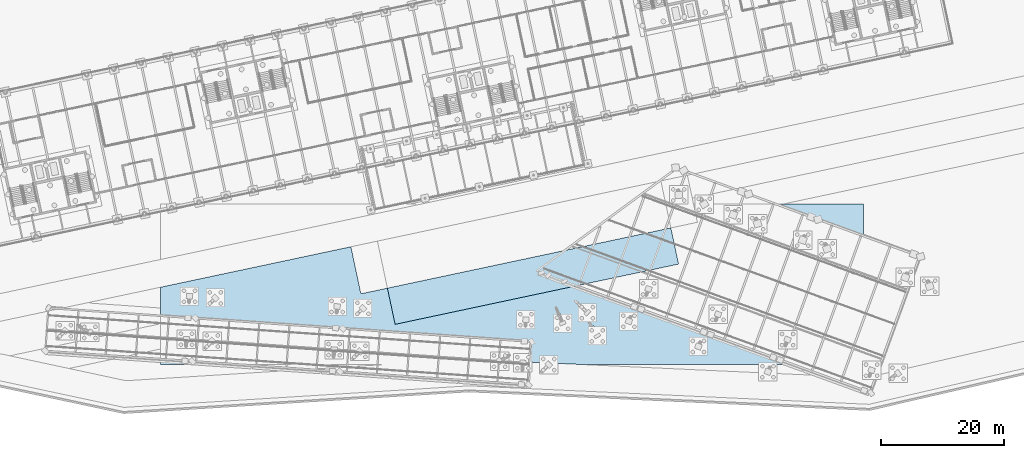
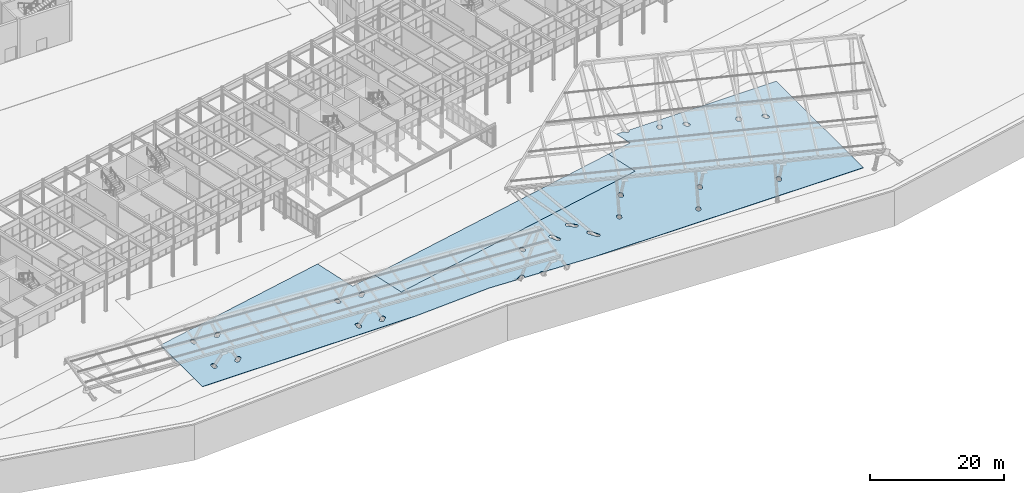
# One storey, part 144 of 239: 2 slabs.
"""IFC4 building model written with IfcOpenShell, lengths in metres."""

from ifc_helpers import new_model, si_unit, direction, frame, origin, place, context, subcontext, project, spatial, polyline, outline, extrude, material, layer, layer_set, type_object, element, save


model = new_model("IFC4")

# Units and contexts
model_context = context("Model", 3, precision=1e-05, world=origin(), true_north=direction((0.0, 1.0)))
body_context = subcontext(model_context, "Body", "Model", "MODEL_VIEW")
ifc_project = project(units=[si_unit("LENGTHUNIT", "METRE"), si_unit("AREAUNIT", "SQUARE_METRE"), si_unit("VOLUMEUNIT", "CUBIC_METRE"), si_unit("PLANEANGLEUNIT", "RADIAN"), si_unit("MASSUNIT", "GRAM", prefix="KILO")], contexts=[model_context])

# Site, building, storey
site_placement = place(None, origin())
site = spatial("IfcSite", under=ifc_project, at=site_placement, CompositionType="ELEMENT")
building_placement = place(site_placement, origin())
building = spatial("IfcBuilding", under=site, at=building_placement, Name="Okhra Congress Centre", CompositionType="ELEMENT")
storey_placement = place(building_placement, origin())
storey = spatial("IfcBuildingStorey", under=building, at=storey_placement, Name="L00", CompositionType="ELEMENT", Elevation=0.0)

# Slabs
ifc_material = material(Name="Concrete C30/37", Category="concrete")
ifc_layer_1 = layer(ifc_material, 0.1201171875)
ifc_layer_set_1 = layer_set([ifc_layer_1], Name="Precast plaza paving slab 120 C30/37")
slab_type_1 = type_object("IfcSlabType", Name="Precast plaza paving slab 120 C30/37", PredefinedType="BASESLAB", material=ifc_layer_set_1)
slab_1_placement = place(storey_placement, frame((0.0, 0.0, -0.1201171875)))
element("IfcSlab", 1, at=slab_1_placement, inside=storey, type_object=slab_type_1, Name="Court Plaza 1 paving", PredefinedType="BASESLAB", context=body_context, shape_type="SweptSolid", body=[
    extrude(outline(polyline([(144.666748046875, 8.702880859375), (144.6865234375, 8.732666015625), (144.734375, 8.78564453125), (144.79150390625, 8.827880859375), (145.533447265625, 9.271728515625), (145.6005859375, 9.2958984375), (145.6357421875, 9.302734375), (145.706787109375, 9.306396484375), (145.777587890625, 9.2958984375), (145.811767578125, 9.28564453125), (145.876220703125, 9.255126953125), (145.93359375, 9.212646484375), (145.981689453125, 9.159912109375), (146.00146484375, 9.130126953125), (146.031982421875, 9.065673828125), (146.04248046875, 9.031494140625), (146.04931640625, 8.99658203125), (146.052978515625, 8.92529296875), (146.04248046875, 8.8544921875), (146.0322265625, 8.8203125), (145.913330078125, 8.53271484375), (148.432861328125, 8.41650390625), (148.50537109375, 8.5009765625), (148.531005859375, 8.52587890625), (148.589111328125, 8.567138671875), (148.654296875, 8.59619140625), (148.688720703125, 8.60595703125), (148.723876953125, 8.612060546875), (148.79541015625, 8.6142578125), (148.830810546875, 8.60986328125), (148.899658203125, 8.591064453125), (148.96337890625, 8.559326171875), (148.99267578125, 8.538818359375), (149.044677734375, 8.48974609375), (149.127685546875, 8.384521484375), (152.702392578125, 8.219482421875), (152.75537109375, 8.25927734375), (152.785888671875, 8.27783203125), (152.8515625, 8.3056640625), (152.92138671875, 8.320068359375), (152.992919921875, 8.320556640625), (153.06298828125, 8.30712890625), (153.12890625, 8.2802734375), (153.188720703125, 8.240966796875), (153.240478515625, 8.194580078125), (157.45556640625, 8.0), (204.0, 8.0), (204.0, 34.0), (178.63037109375, 34.0), (178.576416015625, 33.817138671875), (178.56103515625, 33.779296875), (178.51953125, 33.70947265625), (178.46533203125, 33.648681640625), (178.400390625, 33.599853515625), (178.3271484375, 33.564453125), (178.248291015625, 33.544189453125), (178.1669921875, 33.53955078125), (178.086669921875, 33.551025390625), (178.009765625, 33.577880859375), (177.9736328125, 33.5966796875), (177.907958984375, 33.644775390625), (177.87890625, 33.67333984375), (177.830322265625, 33.73828125), (177.6708984375, 34.0), (176.438232421875, 34.0), (177.0693359375, 31.031494140625), (172.765380859375, 30.11669921875), (174.012939453125, 24.247802734375), (128.0400390625, 14.475830078125), (126.79248046875, 20.3447265625), (122.48876953125, 19.429931640625), (120.866943359375, 27.0595703125), (90.0, 20.49853515625), (90.0, 8.0), (127.034423828125, 8.0), (139.956787109375, 8.8076171875), (144.608154296875, 8.593017578125), (144.666748046875, 8.702880859375)]), holes=[polyline([(197.628662109375, 27.266357421875), (197.597412109375, 27.19140625), (197.58154296875, 27.111572265625), (197.58154296875, 27.030029296875), (197.587646484375, 26.98974609375), (197.72265625, 26.544677734375), (197.760986328125, 26.472900390625), (197.78515625, 26.440185546875), (197.8427734375, 26.382568359375), (197.910400390625, 26.33740234375), (197.985595703125, 26.306396484375), (198.065185546875, 26.290283203125), (198.146728515625, 26.290283203125), (198.2265625, 26.30615234375), (198.3017578125, 26.33740234375), (198.369384765625, 26.382568359375), (198.4267578125, 26.440185546875), (198.47216796875, 26.5078125), (198.489501953125, 26.54443359375), (198.503173828125, 26.5830078125), (198.51904296875, 26.66259765625), (198.51904296875, 26.743896484375), (198.50341796875, 26.823486328125), (198.3916015625, 27.19140625), (198.360595703125, 27.266357421875), (198.3154296875, 27.333984375), (198.258056640625, 27.3916015625), (198.225341796875, 27.415771484375), (198.153564453125, 27.4541015625), (198.07568359375, 27.477783203125), (197.99462890625, 27.48583984375), (197.9541015625, 27.48388671875), (197.874267578125, 27.468017578125), (197.8359375, 27.4541015625), (197.76416015625, 27.416015625), (197.7314453125, 27.3916015625), (197.673828125, 27.333984375), (197.628662109375, 27.266357421875)]), polyline([(194.089111328125, 28.8046875), (194.01904296875, 28.76318359375), (193.95849609375, 28.708984375), (193.90966796875, 28.643798828125), (193.89013671875, 28.60791015625), (193.75732421875, 28.242919921875), (193.7451171875, 28.16259765625), (193.74853515625, 28.081298828125), (193.767822265625, 28.002197265625), (193.80224609375, 27.928466796875), (193.850341796875, 27.86279296875), (193.910400390625, 27.807861328125), (193.97998046875, 27.765625), (194.056396484375, 27.73779296875), (194.13671875, 27.7255859375), (194.218017578125, 27.72900390625), (194.297119140625, 27.748291015625), (194.334716796875, 27.763916015625), (194.40478515625, 27.80517578125), (194.46533203125, 27.859619140625), (194.51416015625, 27.924560546875), (194.54931640625, 27.997802734375), (194.66650390625, 28.325439453125), (194.6787109375, 28.406005859375), (194.67529296875, 28.487060546875), (194.656005859375, 28.566162109375), (194.640380859375, 28.60400390625), (194.59912109375, 28.673828125), (194.544921875, 28.734619140625), (194.479736328125, 28.783203125), (194.40625, 28.818603515625), (194.327392578125, 28.838623046875), (194.287109375, 28.843017578125), (194.205810546875, 28.83935546875), (194.126708984375, 28.820068359375), (194.089111328125, 28.8046875)]), polyline([(191.677978515625, 11.2138671875), (191.739501953125, 11.25), (191.79248046875, 11.2978515625), (191.83544921875, 11.354736328125), (191.852294921875, 11.38623046875), (192.0361328125, 11.885986328125), (192.0537109375, 11.955078125), (192.0576171875, 11.990478515625), (192.054443359375, 12.061767578125), (192.037353515625, 12.131103515625), (192.00732421875, 12.19580078125), (191.965087890625, 12.25341796875), (191.91259765625, 12.301513671875), (191.8515625, 12.33837890625), (191.784423828125, 12.363037109375), (191.7138671875, 12.373779296875), (191.67822265625, 12.3740234375), (191.607421875, 12.364013671875), (191.540283203125, 12.340087890625), (191.478759765625, 12.303955078125), (191.451171875, 12.281494140625), (191.40283203125, 12.228759765625), (191.3828125, 12.19921875), (191.35205078125, 12.135009765625), (191.18212890625, 11.66796875), (191.164306640625, 11.59912109375), (191.16064453125, 11.5634765625), (191.163818359375, 11.4921875), (191.170654296875, 11.457275390625), (191.1943359375, 11.389892578125), (191.230712890625, 11.328369140625), (191.2783203125, 11.275390625), (191.305908203125, 11.25244140625), (191.33544921875, 11.232421875), (191.399658203125, 11.20166015625), (191.433837890625, 11.191162109375), (191.50439453125, 11.18017578125), (191.57568359375, 11.183349609375), (191.64501953125, 11.2001953125), (191.677978515625, 11.2138671875)]), polyline([(186.352294921875, 31.37060546875), (186.3212890625, 31.29541015625), (186.305419921875, 31.2158203125), (186.305419921875, 31.134521484375), (186.311279296875, 31.093994140625), (186.4462890625, 30.64892578125), (186.484619140625, 30.5771484375), (186.5087890625, 30.54443359375), (186.56640625, 30.48681640625), (186.634033203125, 30.441650390625), (186.709228515625, 30.410400390625), (186.7890625, 30.39453125), (186.870361328125, 30.39453125), (186.9501953125, 30.410400390625), (187.025390625, 30.441650390625), (187.093017578125, 30.48681640625), (187.150390625, 30.544189453125), (187.19580078125, 30.612060546875), (187.213134765625, 30.648681640625), (187.226806640625, 30.68701171875), (187.242919921875, 30.766845703125), (187.242919921875, 30.848388671875), (187.22705078125, 30.927734375), (187.115478515625, 31.295654296875), (187.08447265625, 31.37060546875), (187.039306640625, 31.438232421875), (186.981689453125, 31.495849609375), (186.948974609375, 31.52001953125), (186.877197265625, 31.558349609375), (186.79931640625, 31.58203125), (186.718505859375, 31.590087890625), (186.677734375, 31.587890625), (186.597900390625, 31.572265625), (186.522705078125, 31.541015625), (186.48779296875, 31.52001953125), (186.455078125, 31.495849609375), (186.397705078125, 31.438232421875), (186.352294921875, 31.37060546875)]), polyline([(182.812744140625, 32.90869140625), (182.74267578125, 32.867431640625), (182.68212890625, 32.81298828125), (182.656005859375, 32.78173828125), (182.614013671875, 32.712158203125), (182.48095703125, 32.34716796875), (182.468505859375, 32.2666015625), (182.47216796875, 32.185546875), (182.491455078125, 32.1064453125), (182.52587890625, 32.03271484375), (182.573974609375, 31.967041015625), (182.634033203125, 31.912109375), (182.70361328125, 31.869873046875), (182.780029296875, 31.842041015625), (182.8603515625, 31.82958984375), (182.941650390625, 31.833251953125), (183.020751953125, 31.8525390625), (183.058349609375, 31.867919921875), (183.12841796875, 31.909423828125), (183.18896484375, 31.963623046875), (183.23779296875, 32.02880859375), (183.27294921875, 32.10205078125), (183.39013671875, 32.4296875), (183.402587890625, 32.510009765625), (183.39892578125, 32.59130859375), (183.379638671875, 32.67041015625), (183.34521484375, 32.744140625), (183.297119140625, 32.809814453125), (183.2685546875, 32.838623046875), (183.203369140625, 32.887451171875), (183.1298828125, 32.922607421875), (183.091064453125, 32.934814453125), (183.0107421875, 32.947021484375), (182.969970703125, 32.947265625), (182.889404296875, 32.935791015625), (182.812744140625, 32.90869140625)]), polyline([(180.36865234375, 15.304443359375), (180.433349609375, 15.334716796875), (180.490966796875, 15.376953125), (180.5390625, 15.429443359375), (180.576171875, 15.490478515625), (180.760009765625, 15.990234375), (180.777587890625, 16.05908203125), (180.78125, 16.0947265625), (180.778076171875, 16.166015625), (180.760986328125, 16.2353515625), (180.73095703125, 16.300048828125), (180.688720703125, 16.357666015625), (180.63623046875, 16.40576171875), (180.5751953125, 16.44287109375), (180.508056640625, 16.46728515625), (180.4375, 16.47802734375), (180.3662109375, 16.474853515625), (180.331298828125, 16.46826171875), (180.263916015625, 16.444580078125), (180.232421875, 16.427734375), (180.1748046875, 16.385498046875), (180.12646484375, 16.3330078125), (180.1064453125, 16.303466796875), (180.07568359375, 16.2392578125), (179.90576171875, 15.772216796875), (179.88818359375, 15.703369140625), (179.884521484375, 15.667724609375), (179.88427734375, 15.632080078125), (179.894287109375, 15.561279296875), (179.91796875, 15.494140625), (179.954345703125, 15.4326171875), (180.001953125, 15.37939453125), (180.029541015625, 15.356689453125), (180.090576171875, 15.319580078125), (180.123291015625, 15.305908203125), (180.1923828125, 15.2880859375), (180.22802734375, 15.284423828125), (180.29931640625, 15.28759765625), (180.36865234375, 15.304443359375)]), polyline([(177.238525390625, 11.563720703125), (177.173828125, 11.533447265625), (177.1162109375, 11.4912109375), (177.068115234375, 11.438720703125), (177.031005859375, 11.377685546875), (176.895751953125, 11.010986328125), (176.878173828125, 10.942138671875), (176.874267578125, 10.87109375), (176.884521484375, 10.80029296875), (176.908203125, 10.73291015625), (176.9443359375, 10.671630859375), (176.9921875, 10.618408203125), (177.049072265625, 10.57568359375), (177.113525390625, 10.544921875), (177.1826171875, 10.527099609375), (177.25390625, 10.523193359375), (177.289306640625, 10.526611328125), (177.358642578125, 10.54345703125), (177.42333984375, 10.573486328125), (177.48095703125, 10.61572265625), (177.50634765625, 10.640869140625), (177.54931640625, 10.697998046875), (177.579833984375, 10.76220703125), (177.701416015625, 11.095947265625), (177.718994140625, 11.164794921875), (177.722900390625, 11.236083984375), (177.7197265625, 11.271484375), (177.70263671875, 11.3408203125), (177.672607421875, 11.405517578125), (177.65283203125, 11.435302734375), (177.605224609375, 11.488525390625), (177.548095703125, 11.531494140625), (177.48388671875, 11.562255859375), (177.44970703125, 11.57275390625), (177.379150390625, 11.58349609375), (177.307861328125, 11.58056640625), (177.238525390625, 11.563720703125)]), polyline([(169.12548828125, 19.42236328125), (169.186767578125, 19.45849609375), (169.239990234375, 19.506103515625), (169.2626953125, 19.53369140625), (169.2998046875, 19.5947265625), (169.483642578125, 20.094482421875), (169.501220703125, 20.163330078125), (169.5048828125, 20.198974609375), (169.501708984375, 20.270263671875), (169.48486328125, 20.339599609375), (169.45458984375, 20.404296875), (169.41259765625, 20.4619140625), (169.35986328125, 20.510009765625), (169.298828125, 20.547119140625), (169.231689453125, 20.5712890625), (169.161376953125, 20.582275390625), (169.090087890625, 20.5791015625), (169.020751953125, 20.562255859375), (168.987548828125, 20.548583984375), (168.92626953125, 20.512451171875), (168.8984375, 20.489990234375), (168.85009765625, 20.437255859375), (168.830078125, 20.40771484375), (168.799560546875, 20.343505859375), (168.62939453125, 19.87646484375), (168.61181640625, 19.8076171875), (168.608154296875, 19.77197265625), (168.611083984375, 19.70068359375), (168.617919921875, 19.66552734375), (168.6416015625, 19.598388671875), (168.658203125, 19.566650390625), (168.677978515625, 19.536865234375), (168.7255859375, 19.48388671875), (168.78271484375, 19.44091796875), (168.814208984375, 19.424072265625), (168.881103515625, 19.399658203125), (168.95166015625, 19.388671875), (169.02294921875, 19.391845703125), (169.09228515625, 19.40869140625), (169.12548828125, 19.42236328125)]), polyline([(165.962158203125, 15.667724609375), (165.897705078125, 15.6376953125), (165.840087890625, 15.595458984375), (165.791748046875, 15.542724609375), (165.7548828125, 15.481689453125), (165.619384765625, 15.115478515625), (165.601806640625, 15.04638671875), (165.597900390625, 14.97509765625), (165.608154296875, 14.904541015625), (165.6318359375, 14.837158203125), (165.668212890625, 14.77587890625), (165.7158203125, 14.72265625), (165.772705078125, 14.679931640625), (165.837158203125, 14.64892578125), (165.90625, 14.63134765625), (165.9775390625, 14.62744140625), (166.01318359375, 14.630615234375), (166.08251953125, 14.647705078125), (166.147216796875, 14.677734375), (166.20458984375, 14.719970703125), (166.22998046875, 14.7451171875), (166.27294921875, 14.80224609375), (166.3037109375, 14.866455078125), (166.425048828125, 15.2001953125), (166.44287109375, 15.26904296875), (166.44677734375, 15.34033203125), (166.443359375, 15.3759765625), (166.426513671875, 15.4453125), (166.396240234375, 15.509765625), (166.37646484375, 15.539794921875), (166.328857421875, 15.5927734375), (166.271728515625, 15.635498046875), (166.20751953125, 15.66650390625), (166.17333984375, 15.677001953125), (166.102783203125, 15.68798828125), (166.031494140625, 15.684814453125), (165.962158203125, 15.667724609375)]), polyline([(159.740966796875, 13.97802734375), (159.7236328125, 13.908935546875), (159.719970703125, 13.837646484375), (159.73046875, 13.76708984375), (159.75439453125, 13.69970703125), (160.542236328125, 12.3837890625), (160.590087890625, 12.330810546875), (160.6474609375, 12.288330078125), (160.7119140625, 12.2578125), (160.78125, 12.240478515625), (160.8525390625, 12.23681640625), (160.923095703125, 12.247314453125), (160.990234375, 12.271240234375), (161.051513671875, 12.307861328125), (161.0791015625, 12.33056640625), (161.127197265625, 12.38330078125), (161.163818359375, 12.444580078125), (161.18798828125, 12.51171875), (161.19482421875, 12.546875), (161.198486328125, 12.6181640625), (161.19482421875, 12.653564453125), (161.177490234375, 12.722900390625), (161.147216796875, 12.787109375), (160.376220703125, 14.072021484375), (160.328125, 14.124755859375), (160.300537109375, 14.1474609375), (160.27099609375, 14.16748046875), (160.206298828125, 14.197998046875), (160.13720703125, 14.21533203125), (160.101806640625, 14.21875), (160.030517578125, 14.21533203125), (159.995361328125, 14.20849609375), (159.92822265625, 14.184326171875), (159.896484375, 14.16748046875), (159.83935546875, 14.125), (159.79150390625, 14.072265625), (159.771484375, 14.04248046875), (159.740966796875, 13.97802734375)]), polyline([(157.969970703125, 17.259033203125), (157.9716796875, 17.187744140625), (157.9873046875, 17.117919921875), (158.01611328125, 17.052734375), (158.05712890625, 16.994384765625), (158.978759765625, 16.113525390625), (159.034912109375, 16.069580078125), (159.098388671875, 16.03759765625), (159.167236328125, 16.0185546875), (159.23828125, 16.01318359375), (159.309326171875, 16.02197265625), (159.376953125, 16.044189453125), (159.439208984375, 16.079345703125), (159.4931640625, 16.1259765625), (159.537109375, 16.18212890625), (159.5546875, 16.21337890625), (159.58056640625, 16.27978515625), (159.5927734375, 16.35009765625), (159.593505859375, 16.3857421875), (159.591064453125, 16.42138671875), (159.575439453125, 16.4912109375), (159.546630859375, 16.556396484375), (159.527587890625, 16.58642578125), (159.481201171875, 16.640380859375), (158.583984375, 17.49560546875), (158.52783203125, 17.539306640625), (158.464111328125, 17.571533203125), (158.430419921875, 17.582763671875), (158.360107421875, 17.594970703125), (158.32421875, 17.595947265625), (158.28857421875, 17.59326171875), (158.218994140625, 17.57763671875), (158.15380859375, 17.548828125), (158.12353515625, 17.52978515625), (158.069580078125, 17.483154296875), (158.046142578125, 17.4560546875), (158.0078125, 17.39599609375), (157.982177734375, 17.329345703125), (157.969970703125, 17.259033203125)]), polyline([(154.375244140625, 15.948486328125), (154.354736328125, 15.8798828125), (154.34814453125, 15.80908203125), (154.35546875, 15.738037109375), (154.3642578125, 15.703369140625), (154.861083984375, 14.51171875), (154.894775390625, 14.44921875), (154.940185546875, 14.394287109375), (154.99560546875, 14.34912109375), (155.05859375, 14.315673828125), (155.126953125, 14.295166015625), (155.197998046875, 14.28857421875), (155.26904296875, 14.2958984375), (155.337158203125, 14.316650390625), (155.39990234375, 14.3505859375), (155.455078125, 14.39599609375), (155.47900390625, 14.422607421875), (155.518310546875, 14.482177734375), (155.533447265625, 14.514404296875), (155.553955078125, 14.582763671875), (155.55908203125, 14.6181640625), (155.560791015625, 14.65380859375), (155.553466796875, 14.724853515625), (155.532470703125, 14.792724609375), (155.0478515625, 15.951171875), (155.013916015625, 16.013671875), (154.968505859375, 16.068603515625), (154.94189453125, 16.092529296875), (154.882568359375, 16.132080078125), (154.81640625, 16.158935546875), (154.78173828125, 16.16748046875), (154.710693359375, 16.17431640625), (154.675048828125, 16.17236328125), (154.605224609375, 16.158203125), (154.571533203125, 16.14599609375), (154.5087890625, 16.1123046875), (154.453857421875, 16.06689453125), (154.429931640625, 16.040283203125), (154.390380859375, 15.980712890625), (154.375244140625, 15.948486328125)]), polyline([(149.4638671875, 14.4853515625), (149.5126953125, 14.537109375), (149.55078125, 14.59765625), (149.576171875, 14.664306640625), (149.583984375, 14.69921875), (149.621337890625, 15.208740234375), (149.619384765625, 15.27978515625), (149.613037109375, 15.315185546875), (149.59033203125, 15.3828125), (149.554931640625, 15.444580078125), (149.50830078125, 15.49853515625), (149.45166015625, 15.542236328125), (149.387939453125, 15.57421875), (149.319091796875, 15.593017578125), (149.247802734375, 15.597900390625), (149.177001953125, 15.5888671875), (149.109375, 15.566162109375), (149.04736328125, 15.53076171875), (149.019287109375, 15.5087890625), (148.99365234375, 15.48388671875), (148.949951171875, 15.427490234375), (148.918212890625, 15.36376953125), (148.906982421875, 15.32958984375), (148.89501953125, 15.259521484375), (148.86181640625, 14.78515625), (148.864013671875, 14.714111328125), (148.8701171875, 14.678955078125), (148.892822265625, 14.611083984375), (148.908935546875, 14.579345703125), (148.9501953125, 14.521240234375), (149.002197265625, 14.47216796875), (149.031494140625, 14.45166015625), (149.09521484375, 14.419921875), (149.164306640625, 14.401123046875), (149.19970703125, 14.39697265625), (149.2353515625, 14.39599609375), (149.30615234375, 14.405029296875), (149.373779296875, 14.427734375), (149.435791015625, 14.463134765625), (149.4638671875, 14.4853515625)]), polyline([(122.3857421875, 16.27294921875), (122.456787109375, 16.280517578125), (122.52490234375, 16.301513671875), (122.587646484375, 16.335693359375), (122.6162109375, 16.357177734375), (123.08203125, 16.8271484375), (123.126708984375, 16.88232421875), (123.14501953125, 16.9130859375), (123.171875, 16.979248046875), (123.185302734375, 17.04931640625), (123.184814453125, 17.12060546875), (123.17041015625, 17.190673828125), (123.142578125, 17.25634765625), (123.1025390625, 17.3154296875), (123.0517578125, 17.365478515625), (122.9921875, 17.40478515625), (122.926025390625, 17.431640625), (122.891357421875, 17.43994140625), (122.8203125, 17.446533203125), (122.784423828125, 17.444580078125), (122.714599609375, 17.43017578125), (122.64892578125, 17.40234375), (122.618408203125, 17.3837890625), (122.563720703125, 17.33837890625), (122.1240234375, 16.892333984375), (122.0791015625, 16.837158203125), (122.06103515625, 16.806396484375), (122.0458984375, 16.77392578125), (122.02587890625, 16.70556640625), (122.020751953125, 16.670166015625), (122.021240234375, 16.5986328125), (122.03564453125, 16.52880859375), (122.0634765625, 16.463134765625), (122.08203125, 16.4326171875), (122.103515625, 16.404052734375), (122.154296875, 16.35400390625), (122.2138671875, 16.314697265625), (122.280029296875, 16.287841796875), (122.35009765625, 16.2744140625), (122.3857421875, 16.27294921875)]), polyline([(121.822509765625, 9.2138671875), (121.8935546875, 9.221435546875), (121.961669921875, 9.24267578125), (122.0244140625, 9.276611328125), (122.052734375, 9.298095703125), (122.59375, 9.84423828125), (122.638427734375, 9.8994140625), (122.656494140625, 9.93017578125), (122.68359375, 9.996337890625), (122.697021484375, 10.06640625), (122.6962890625, 10.1376953125), (122.681884765625, 10.207763671875), (122.654296875, 10.2734375), (122.6142578125, 10.33251953125), (122.5634765625, 10.382568359375), (122.50390625, 10.421875), (122.437744140625, 10.448486328125), (122.403076171875, 10.45703125), (122.331787109375, 10.463623046875), (122.296142578125, 10.461669921875), (122.226318359375, 10.447265625), (122.16064453125, 10.41943359375), (122.130126953125, 10.40087890625), (122.075439453125, 10.355224609375), (121.560546875, 9.833251953125), (121.515869140625, 9.778076171875), (121.497802734375, 9.747314453125), (121.482666015625, 9.71484375), (121.46240234375, 9.646484375), (121.4560546875, 9.575439453125), (121.46337890625, 9.50439453125), (121.472412109375, 9.4697265625), (121.5, 9.404052734375), (121.518798828125, 9.37353515625), (121.564453125, 9.318603515625), (121.619873046875, 9.273681640625), (121.650634765625, 9.255615234375), (121.716796875, 9.228759765625), (121.75146484375, 9.220458984375), (121.822509765625, 9.2138671875)]), polyline([(118.810546875, 16.604736328125), (118.864501953125, 16.651611328125), (118.908203125, 16.7080078125), (118.93994140625, 16.771728515625), (118.958740234375, 16.840576171875), (118.99609375, 17.350341796875), (118.994140625, 17.42138671875), (118.98779296875, 17.45654296875), (118.965087890625, 17.5244140625), (118.9296875, 17.586181640625), (118.8828125, 17.64013671875), (118.826416015625, 17.683837890625), (118.7626953125, 17.715576171875), (118.69384765625, 17.734375), (118.62255859375, 17.739501953125), (118.5517578125, 17.73046875), (118.484130859375, 17.707763671875), (118.422119140625, 17.67236328125), (118.39404296875, 17.650146484375), (118.34521484375, 17.598388671875), (118.30712890625, 17.537841796875), (118.292724609375, 17.505126953125), (118.28173828125, 17.47119140625), (118.27001953125, 17.401123046875), (118.23681640625, 16.9267578125), (118.23876953125, 16.855712890625), (118.2451171875, 16.8203125), (118.267578125, 16.752685546875), (118.302978515625, 16.69091796875), (118.3251953125, 16.66259765625), (118.376953125, 16.61376953125), (118.4375, 16.57568359375), (118.47021484375, 16.561279296875), (118.504150390625, 16.55029296875), (118.574462890625, 16.538330078125), (118.645751953125, 16.540283203125), (118.71533203125, 16.556396484375), (118.74853515625, 16.5693359375), (118.810546875, 16.604736328125)]), polyline([(118.3447265625, 9.56298828125), (118.393798828125, 9.61474609375), (118.4140625, 9.64404296875), (118.446044921875, 9.7080078125), (118.464599609375, 9.77685546875), (118.5078125, 10.367431640625), (118.505859375, 10.4384765625), (118.49951171875, 10.4736328125), (118.476806640625, 10.541259765625), (118.44140625, 10.603271484375), (118.394775390625, 10.656982421875), (118.338134765625, 10.70068359375), (118.2744140625, 10.732666015625), (118.20556640625, 10.75146484375), (118.13427734375, 10.75634765625), (118.063720703125, 10.747314453125), (117.995849609375, 10.724853515625), (117.964111328125, 10.70849609375), (117.933837890625, 10.689453125), (117.880126953125, 10.642578125), (117.83642578125, 10.586181640625), (117.81884765625, 10.554931640625), (117.79345703125, 10.48828125), (117.781494140625, 10.418212890625), (117.74267578125, 9.86279296875), (117.744873046875, 9.791748046875), (117.7509765625, 9.756591796875), (117.773681640625, 9.688720703125), (117.789794921875, 9.656982421875), (117.8310546875, 9.598876953125), (117.883056640625, 9.5498046875), (117.912353515625, 9.529296875), (117.943359375, 9.511962890625), (118.010009765625, 9.486328125), (118.08056640625, 9.474609375), (118.1162109375, 9.473876953125), (118.18701171875, 9.48291015625), (118.254638671875, 9.50537109375), (118.316650390625, 9.540771484375), (118.3447265625, 9.56298828125)]), polyline([(98.4443359375, 17.947021484375), (98.515380859375, 17.95458984375), (98.58349609375, 17.975830078125), (98.64599609375, 18.009765625), (98.674560546875, 18.03125), (99.140380859375, 18.501220703125), (99.185302734375, 18.556640625), (99.203369140625, 18.58740234375), (99.230224609375, 18.6533203125), (99.24365234375, 18.723388671875), (99.2431640625, 18.794921875), (99.228759765625, 18.86474609375), (99.200927734375, 18.930419921875), (99.160888671875, 18.989501953125), (99.110107421875, 19.039794921875), (99.050537109375, 19.078857421875), (98.984375, 19.105712890625), (98.94970703125, 19.1142578125), (98.878662109375, 19.12060546875), (98.843017578125, 19.11865234375), (98.773193359375, 19.104248046875), (98.739501953125, 19.092041015625), (98.677001953125, 19.057861328125), (98.622314453125, 19.012451171875), (98.182373046875, 18.56640625), (98.1376953125, 18.51123046875), (98.119384765625, 18.48046875), (98.1044921875, 18.447998046875), (98.084228515625, 18.379638671875), (98.079345703125, 18.34423828125), (98.079833984375, 18.27294921875), (98.09423828125, 18.202880859375), (98.121826171875, 18.13720703125), (98.140380859375, 18.106689453125), (98.162109375, 18.078125), (98.212890625, 18.028076171875), (98.2724609375, 17.989013671875), (98.33837890625, 17.9619140625), (98.40869140625, 17.948486328125), (98.4443359375, 17.947021484375)]), polyline([(97.84521484375, 10.8896484375), (97.91650390625, 10.89013671875), (97.986572265625, 10.904541015625), (98.05224609375, 10.93212890625), (98.111328125, 10.972412109375), (98.652099609375, 11.518310546875), (98.697021484375, 11.573486328125), (98.730224609375, 11.63671875), (98.75048828125, 11.705078125), (98.7568359375, 11.7763671875), (98.74951171875, 11.84716796875), (98.728271484375, 11.915283203125), (98.694091796875, 11.97802734375), (98.6484375, 12.032958984375), (98.593017578125, 12.077880859375), (98.52978515625, 12.111083984375), (98.49609375, 12.122802734375), (98.426025390625, 12.13623046875), (98.390380859375, 12.1376953125), (98.354736328125, 12.1357421875), (98.284912109375, 12.121337890625), (98.218994140625, 12.093505859375), (98.188720703125, 12.074951171875), (98.1337890625, 12.029541015625), (97.619140625, 11.507568359375), (97.574462890625, 11.4521484375), (97.541259765625, 11.388916015625), (97.529296875, 11.355224609375), (97.515869140625, 11.28515625), (97.514404296875, 11.24951171875), (97.52197265625, 11.1787109375), (97.53076171875, 11.14404296875), (97.55859375, 11.078125), (97.5771484375, 11.047607421875), (97.622802734375, 10.992919921875), (97.67822265625, 10.947998046875), (97.741455078125, 10.914794921875), (97.775146484375, 10.903076171875), (97.84521484375, 10.8896484375)]), polyline([(94.897216796875, 18.30078125), (94.9228515625, 18.32568359375), (94.966552734375, 18.382080078125), (94.998291015625, 18.446044921875), (95.01708984375, 18.514892578125), (95.054443359375, 19.0244140625), (95.052490234375, 19.095703125), (95.04638671875, 19.130859375), (95.023681640625, 19.198486328125), (94.98828125, 19.260498046875), (94.94140625, 19.314208984375), (94.885009765625, 19.35791015625), (94.821044921875, 19.389892578125), (94.752197265625, 19.408447265625), (94.68115234375, 19.41357421875), (94.6103515625, 19.404541015625), (94.575927734375, 19.39501953125), (94.5107421875, 19.36572265625), (94.45263671875, 19.324462890625), (94.4267578125, 19.2998046875), (94.383056640625, 19.2431640625), (94.351318359375, 19.179443359375), (94.340087890625, 19.1455078125), (94.328369140625, 19.0751953125), (94.295166015625, 18.600830078125), (94.297119140625, 18.52978515625), (94.303466796875, 18.49462890625), (94.326171875, 18.427001953125), (94.34228515625, 18.39501953125), (94.383544921875, 18.3369140625), (94.435302734375, 18.287841796875), (94.464599609375, 18.267333984375), (94.528564453125, 18.235595703125), (94.5625, 18.224609375), (94.6328125, 18.21240234375), (94.7041015625, 18.214599609375), (94.739501953125, 18.220703125), (94.773681640625, 18.23046875), (94.8388671875, 18.259521484375), (94.897216796875, 18.30078125)]), polyline([(94.403076171875, 11.237060546875), (94.4521484375, 11.288818359375), (94.47265625, 11.318115234375), (94.50439453125, 11.382080078125), (94.523193359375, 11.450927734375), (94.56640625, 12.04150390625), (94.564208984375, 12.112548828125), (94.55810546875, 12.147705078125), (94.535400390625, 12.215576171875), (94.5, 12.27734375), (94.453125, 12.331298828125), (94.396728515625, 12.375), (94.332763671875, 12.40673828125), (94.263916015625, 12.425537109375), (94.19287109375, 12.4306640625), (94.1220703125, 12.421630859375), (94.05419921875, 12.39892578125), (94.0224609375, 12.3828125), (93.992431640625, 12.363525390625), (93.9384765625, 12.316650390625), (93.894775390625, 12.26025390625), (93.87744140625, 12.22900390625), (93.851806640625, 12.16259765625), (93.840087890625, 12.09228515625), (93.80126953125, 11.536865234375), (93.80322265625, 11.4658203125), (93.8095703125, 11.4306640625), (93.83203125, 11.363037109375), (93.848388671875, 11.3310546875), (93.8896484375, 11.27294921875), (93.94140625, 11.22412109375), (93.970703125, 11.20361328125), (94.001953125, 11.18603515625), (94.068603515625, 11.16064453125), (94.138916015625, 11.148681640625), (94.174560546875, 11.14794921875), (94.245361328125, 11.156982421875), (94.31298828125, 11.1796875), (94.375, 11.215087890625), (94.403076171875, 11.237060546875)])]), origin(), (0.0, 0.0, 1.0), 0.1201171875),
])
ifc_layer_2 = layer(ifc_material, 0.179931640625)
ifc_layer_set_2 = layer_set([ifc_layer_2], Name="RC car park slab 180 C30/37")
slab_type_2 = type_object("IfcSlabType", Name="RC car park slab 180 C30/37", PredefinedType="BASESLAB", material=ifc_layer_set_2)
slab_2_placement = place(storey_placement, frame((0.0, 0.0, -0.179931640625)))
element("IfcSlab", 2, at=slab_2_placement, inside=storey, type_object=slab_type_2, Name="Porch Accessible Parking paving", PredefinedType="BASESLAB", context=body_context, shape_type="SweptSolid", body=[
    extrude(outline(polyline([(172.765380859375, 30.11669921875), (126.79248046875, 20.3447265625), (128.0400390625, 14.475830078125), (174.012939453125, 24.247802734375), (172.765380859375, 30.11669921875)])), origin(), (0.0, 0.0, 1.0), 0.179931640625),
])

save(model, "model.ifc")
